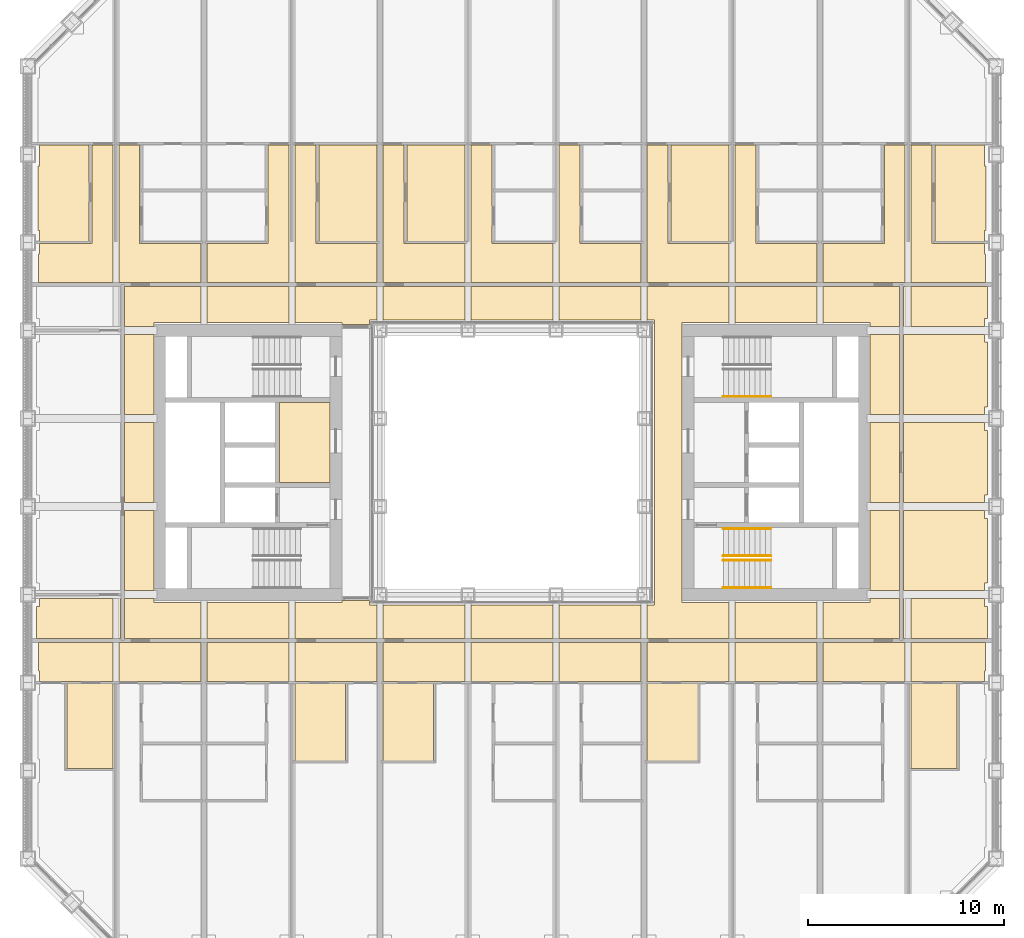
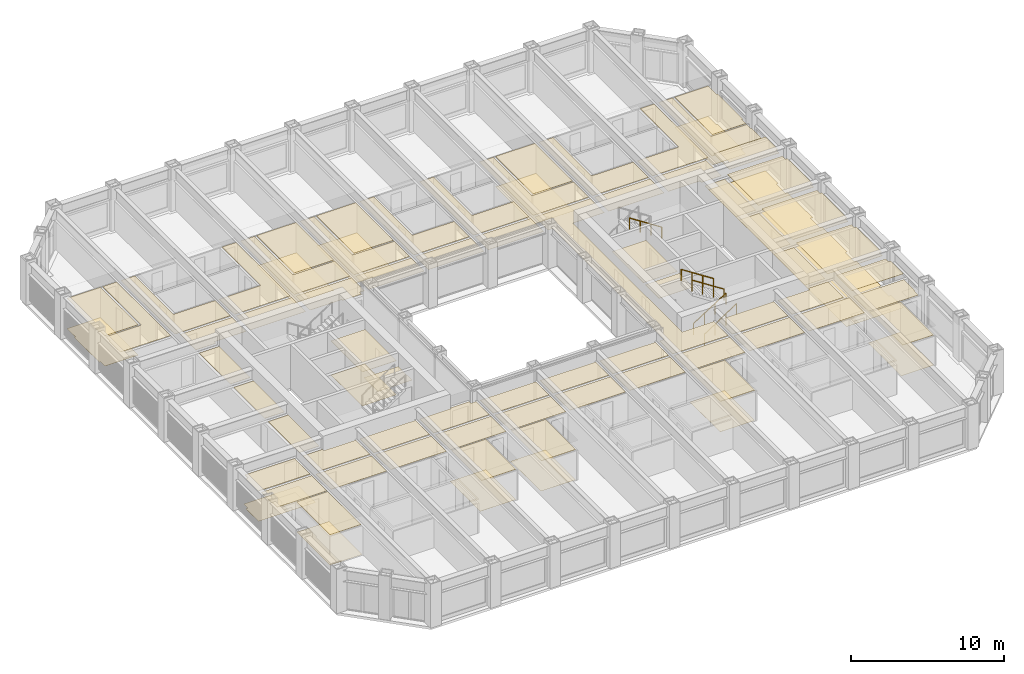
# One storey, part 20 of 21: 5 railings, 4 coverings.
"""IFC4 building model written with IfcOpenShell, lengths in metres."""

from ifc_helpers import new_model, si_unit, direction, frame, origin, origin_2d, place, context, subcontext, project, spatial, line, indexed_curve, circle, outline, extrude, material, layer, layer_set, type_object, element, save


model = new_model("IFC4")

# Units and contexts
model_context = context("Model", 3, precision=1e-05, world=origin(), true_north=direction((0.0, 1.0)))
body_context = subcontext(model_context, "Body", "Model", "MODEL_VIEW")
ifc_project = project(units=[si_unit("LENGTHUNIT", "METRE"), si_unit("AREAUNIT", "SQUARE_METRE"), si_unit("VOLUMEUNIT", "CUBIC_METRE"), si_unit("PLANEANGLEUNIT", "RADIAN"), si_unit("MASSUNIT", "GRAM", prefix="KILO")], contexts=[model_context])

# Site, building, storey
site_placement = place(None, origin())
site = spatial("IfcSite", under=ifc_project, at=site_placement, CompositionType="ELEMENT")
building_placement = place(site_placement, origin())
building = spatial("IfcBuilding", under=site, at=building_placement, Name="Msasa Ring Tower", CompositionType="ELEMENT")
storey_placement = place(building_placement, frame((0.0, 0.0, 51.0)))
storey = spatial("IfcBuildingStorey", under=building, at=storey_placement, Name="L12", CompositionType="ELEMENT", Elevation=51.0)

# Coverings
ifc_material_1 = material(Name="Gypsum plasterboard on a steel suspension grid", Category="steel")
ifc_layer_1 = layer(ifc_material_1, 0.014892578125)
ifc_layer_set_1 = layer_set([ifc_layer_1], Name="C1 SUSPENDED PLASTERBOARD CEILING 15")
covering_type_1 = type_object("IfcCoveringType", Name="C1 SUSPENDED PLASTERBOARD CEILING 15", PredefinedType="CEILING", material=ifc_layer_set_1)
covering_1_placement = place(storey_placement, frame((0.0, 0.0, 2.39990234375)))
element("IfcCovering", 1, at=covering_1_placement, inside=storey, type_object=covering_type_1, Name="Suspended Plasterboard Ceiling 15 circulation L12", PredefinedType="CEILING", context=body_context, shape_type="SweptSolid", body=[
    extrude(outline(indexed_curve([(-24.1494140625, -11.199462890625), (-24.1494140625, -10.6494140625), (-24.199462890625, -10.6494140625), (-24.199462890625, -9.200439453125), (-20.404296875, -9.200439453125), (-20.404296875, -11.199462890625)], segments=[line(1, 2, 3, 4, 5, 6, 1)], self_intersect=False)), origin(), (0.0, 0.0, 1.0), 0.01513671875),
    extrude(outline(indexed_curve([(-24.199462890625, 9.200439453125), (-24.199462890625, 10.6494140625), (-24.1494140625, 10.6494140625), (-24.1494140625, 11.199462890625), (-21.469482421875, 11.199462890625), (-21.469482421875, 16.244384765625), (-20.404296875, 16.244384765625), (-20.404296875, 9.200439453125)], segments=[line(1, 2, 3, 4, 5, 6, 7, 8, 1)], self_intersect=False)), origin(), (0.0, 0.0, 1.0), 0.01513671875),
    extrude(outline(indexed_curve([(-20.095703125, -11.199462890625), (-20.095703125, -9.200439453125), (-15.904296875, -9.200439453125), (-15.904296875, -11.199462890625)], segments=[line(1, 2, 3, 4, 1)], self_intersect=False)), origin(), (0.0, 0.0, 1.0), 0.01513671875),
    extrude(outline(indexed_curve([(-19.030517578125, 16.244384765625), (-19.030517578125, 11.199462890625), (-15.904296875, 11.199462890625), (-15.904296875, 9.200439453125), (-20.095703125, 9.200439453125), (-20.095703125, 16.244384765625)], segments=[line(1, 2, 3, 4, 5, 6, 1)], self_intersect=False)), origin(), (0.0, 0.0, 1.0), 0.01513671875),
    extrude(outline(indexed_curve([(-19.799560546875, -8.99951171875), (-19.799560546875, -6.960693359375), (-18.300537109375, -6.960693359375), (-18.300537109375, -7.150390625), (-15.904296875, -7.150390625), (-15.904296875, -8.99951171875)], segments=[line(1, 2, 3, 4, 5, 6, 1)], self_intersect=False)), origin(), (0.0, 0.0, 1.0), 0.01513671875),
    extrude(outline(indexed_curve([(-19.799560546875, -2.460693359375), (-18.300537109375, -2.460693359375), (-18.300537109375, -6.539306640625), (-19.799560546875, -6.539306640625)], segments=[line(1, 2, 3, 4, 1)], self_intersect=False)), origin(), (0.0, 0.0, 1.0), 0.01513671875),
    extrude(outline(indexed_curve([(-19.799560546875, 2.039306640625), (-18.300537109375, 2.039306640625), (-18.300537109375, -2.039306640625), (-19.799560546875, -2.039306640625)], segments=[line(1, 2, 3, 4, 1)], self_intersect=False)), origin(), (0.0, 0.0, 1.0), 0.01513671875),
    extrude(outline(indexed_curve([(-19.799560546875, 6.539306640625), (-18.300537109375, 6.539306640625), (-18.300537109375, 2.460693359375), (-19.799560546875, 2.460693359375)], segments=[line(1, 2, 3, 4, 1)], self_intersect=False)), origin(), (0.0, 0.0, 1.0), 0.01513671875),
    extrude(outline(indexed_curve([(-19.799560546875, 8.99951171875), (-15.904296875, 8.99951171875), (-15.904296875, 7.150390625), (-18.300537109375, 7.150390625), (-18.300537109375, 6.960693359375), (-19.799560546875, 6.960693359375)], segments=[line(1, 2, 3, 4, 5, 6, 1)], self_intersect=False)), origin(), (0.0, 0.0, 1.0), 0.01513671875),
    extrude(outline(indexed_curve([(-11.404296875, -9.200439453125), (-11.404296875, -11.199462890625), (-15.595703125, -11.199462890625), (-15.595703125, -9.200439453125)], segments=[line(1, 2, 3, 4, 1)], self_intersect=False)), origin(), (0.0, 0.0, 1.0), 0.01513671875),
    extrude(outline(indexed_curve([(-15.595703125, -8.99951171875), (-15.595703125, -7.150390625), (-11.404296875, -7.150390625), (-11.404296875, -8.99951171875)], segments=[line(1, 2, 3, 4, 1)], self_intersect=False)), origin(), (0.0, 0.0, 1.0), 0.01513671875),
    extrude(outline(indexed_curve([(-11.404296875, 8.99951171875), (-11.404296875, 7.150390625), (-15.595703125, 7.150390625), (-15.595703125, 8.99951171875)], segments=[line(1, 2, 3, 4, 1)], self_intersect=False)), origin(), (0.0, 0.0, 1.0), 0.01513671875),
    extrude(outline(indexed_curve([(-15.595703125, 9.200439453125), (-15.595703125, 11.199462890625), (-12.469482421875, 11.199462890625), (-12.469482421875, 16.244384765625), (-11.404296875, 16.244384765625), (-11.404296875, 9.200439453125)], segments=[line(1, 2, 3, 4, 5, 6, 1)], self_intersect=False)), origin(), (0.0, 0.0, 1.0), 0.01513671875),
    extrude(outline(indexed_curve([(-11.87451171875, -1.275390625), (-9.300537109375, -1.275390625), (-9.300537109375, -3.074462890625), (-11.87451171875, -3.074462890625)], segments=[line(1, 2, 3, 4, 1)], self_intersect=False)), origin(), (0.0, 0.0, 1.0), 0.01513671875),
    extrude(outline(indexed_curve([(-6.904296875, -9.200439453125), (-6.904296875, -11.199462890625), (-11.095703125, -11.199462890625), (-11.095703125, -9.200439453125)], segments=[line(1, 2, 3, 4, 1)], self_intersect=False)), origin(), (0.0, 0.0, 1.0), 0.01513671875),
    extrude(outline(indexed_curve([(-11.095703125, -8.99951171875), (-11.095703125, -7.150390625), (-8.699462890625, -7.150390625), (-8.699462890625, -7.050537109375), (-7.280029296875, -7.050537109375), (-7.275390625, -7.275390625), (-6.904296875, -7.280029296875), (-6.904296875, -8.99951171875)], segments=[line(1, 2, 3, 4, 5, 6, 7, 8, 1)], self_intersect=False)), origin(), (0.0, 0.0, 1.0), 0.01513671875),
    extrude(outline(indexed_curve([(-6.904296875, 8.99951171875), (-6.904296875, 7.280029296875), (-7.275390625, 7.275390625), (-7.280029296875, 7.050537109375), (-8.699462890625, 7.050537109375), (-8.699462890625, 7.150390625), (-11.095703125, 7.150390625), (-11.095703125, 8.99951171875)], segments=[line(1, 2, 3, 4, 5, 6, 7, 8, 1)], self_intersect=False)), origin(), (0.0, 0.0, 1.0), 0.01513671875),
    extrude(outline(indexed_curve([(-10.030517578125, 16.244384765625), (-10.030517578125, 11.199462890625), (-6.904296875, 11.199462890625), (-6.904296875, 9.200439453125), (-11.095703125, 9.200439453125), (-11.095703125, 16.244384765625)], segments=[line(1, 2, 3, 4, 5, 6, 1)], self_intersect=False)), origin(), (0.0, 0.0, 1.0), 0.01513671875),
    extrude(outline(indexed_curve([(-6.595703125, -11.199462890625), (-6.595703125, -9.200439453125), (-2.404296875, -9.200439453125), (-2.404296875, -11.199462890625)], segments=[line(1, 2, 3, 4, 1)], self_intersect=False)), origin(), (0.0, 0.0, 1.0), 0.01513671875),
    extrude(outline(indexed_curve([(-6.595703125, -8.99951171875), (-6.595703125, -7.280029296875), (-2.404296875, -7.280029296875), (-2.404296875, -8.99951171875)], segments=[line(1, 2, 3, 4, 1)], self_intersect=False)), origin(), (0.0, 0.0, 1.0), 0.01513671875),
    extrude(outline(indexed_curve([(-2.404296875, 8.99951171875), (-2.404296875, 7.280029296875), (-6.595703125, 7.280029296875), (-6.595703125, 8.99951171875)], segments=[line(1, 2, 3, 4, 1)], self_intersect=False)), origin(), (0.0, 0.0, 1.0), 0.01513671875),
    extrude(outline(indexed_curve([(-2.404296875, 11.199462890625), (-2.404296875, 9.200439453125), (-6.595703125, 9.200439453125), (-6.595703125, 16.244384765625), (-5.530517578125, 16.244384765625), (-5.530517578125, 11.199462890625)], segments=[line(1, 2, 3, 4, 5, 6, 1)], self_intersect=False)), origin(), (0.0, 0.0, 1.0), 0.01513671875),
    extrude(outline(indexed_curve([(-2.095703125, -11.199462890625), (-2.095703125, -9.200439453125), (2.095703125, -9.200439453125), (2.095703125, -11.199462890625)], segments=[line(1, 2, 3, 4, 1)], self_intersect=False)), origin(), (0.0, 0.0, 1.0), 0.01513671875),
    extrude(outline(indexed_curve([(-2.095703125, -8.99951171875), (-2.095703125, -7.280029296875), (2.095703125, -7.280029296875), (2.095703125, -8.99951171875)], segments=[line(1, 2, 3, 4, 1)], self_intersect=False)), origin(), (0.0, 0.0, 1.0), 0.01513671875),
    extrude(outline(indexed_curve([(2.095703125, 8.99951171875), (2.095703125, 7.280029296875), (-2.095703125, 7.280029296875), (-2.095703125, 8.99951171875)], segments=[line(1, 2, 3, 4, 1)], self_intersect=False)), origin(), (0.0, 0.0, 1.0), 0.01513671875),
    extrude(outline(indexed_curve([(-1.030517578125, 16.244384765625), (-1.030517578125, 11.199462890625), (2.095703125, 11.199462890625), (2.095703125, 9.200439453125), (-2.095703125, 9.200439453125), (-2.095703125, 16.244384765625)], segments=[line(1, 2, 3, 4, 5, 6, 1)], self_intersect=False)), origin(), (0.0, 0.0, 1.0), 0.01513671875),
    extrude(outline(indexed_curve([(2.404296875, -11.199462890625), (2.404296875, -9.200439453125), (6.595703125, -9.200439453125), (6.595703125, -11.199462890625)], segments=[line(1, 2, 3, 4, 1)], self_intersect=False)), origin(), (0.0, 0.0, 1.0), 0.01513671875),
    extrude(outline(indexed_curve([(2.404296875, -8.99951171875), (2.404296875, -7.280029296875), (6.595703125, -7.280029296875), (6.595703125, -8.99951171875)], segments=[line(1, 2, 3, 4, 1)], self_intersect=False)), origin(), (0.0, 0.0, 1.0), 0.01513671875),
    extrude(outline(indexed_curve([(6.595703125, 8.99951171875), (6.595703125, 7.280029296875), (2.404296875, 7.280029296875), (2.404296875, 8.99951171875)], segments=[line(1, 2, 3, 4, 1)], self_intersect=False)), origin(), (0.0, 0.0, 1.0), 0.01513671875),
    extrude(outline(indexed_curve([(3.469482421875, 16.244384765625), (3.469482421875, 11.199462890625), (6.595703125, 11.199462890625), (6.595703125, 9.200439453125), (2.404296875, 9.200439453125), (2.404296875, 16.244384765625)], segments=[line(1, 2, 3, 4, 5, 6, 1)], self_intersect=False)), origin(), (0.0, 0.0, 1.0), 0.01513671875),
    extrude(outline(indexed_curve([(11.095703125, -9.200439453125), (11.095703125, -11.199462890625), (6.904296875, -11.199462890625), (6.904296875, -9.200439453125)], segments=[line(1, 2, 3, 4, 1)], self_intersect=False)), origin(), (0.0, 0.0, 1.0), 0.01513671875),
    extrude(outline(indexed_curve([(6.904296875, -8.99951171875), (6.904296875, -7.280029296875), (7.275390625, -7.275390625), (7.280517578125, -7.23046875), (7.280517578125, 7.23046875), (7.275390625, 7.275390625), (6.904296875, 7.280029296875), (6.904296875, 8.99951171875), (11.095703125, 8.99951171875), (11.095703125, 7.150390625), (8.699462890625, 7.150390625), (8.699462890625, -7.150390625), (11.095703125, -7.150390625), (11.095703125, -8.99951171875)], segments=[line(1, 2, 3, 4, 5, 6, 7, 8, 9, 10, 11, 12, 13, 14, 1)], self_intersect=False)), origin(), (0.0, 0.0, 1.0), 0.01513671875),
    extrude(outline(indexed_curve([(7.969482421875, 11.199462890625), (11.095703125, 11.199462890625), (11.095703125, 9.200439453125), (6.904296875, 9.200439453125), (6.904296875, 16.244384765625), (7.969482421875, 16.244384765625)], segments=[line(1, 2, 3, 4, 5, 6, 1)], self_intersect=False)), origin(), (0.0, 0.0, 1.0), 0.01513671875),
    extrude(outline(indexed_curve([(9.300537109375, -1.275390625), (11.87451171875, -1.275390625), (11.87451171875, -3.074462890625), (9.300537109375, -3.074462890625)], segments=[line(1, 2, 3, 4, 1)], self_intersect=False)), origin(), (0.0, 0.0, 1.0), 0.01513671875),
    extrude(outline(indexed_curve([(9.300537109375, 3.074462890625), (11.87451171875, 3.074462890625), (11.87451171875, -1.0244140625), (9.300537109375, -1.0244140625)], segments=[line(1, 2, 3, 4, 1)], self_intersect=False)), origin(), (0.0, 0.0, 1.0), 0.01513671875),
    extrude(outline(indexed_curve([(15.595703125, -9.200439453125), (15.595703125, -11.199462890625), (11.404296875, -11.199462890625), (11.404296875, -9.200439453125)], segments=[line(1, 2, 3, 4, 1)], self_intersect=False)), origin(), (0.0, 0.0, 1.0), 0.01513671875),
    extrude(outline(indexed_curve([(11.404296875, -8.99951171875), (11.404296875, -7.150390625), (15.595703125, -7.150390625), (15.595703125, -8.99951171875)], segments=[line(1, 2, 3, 4, 1)], self_intersect=False)), origin(), (0.0, 0.0, 1.0), 0.01513671875),
    extrude(outline(indexed_curve([(15.595703125, 8.99951171875), (15.595703125, 7.150390625), (11.404296875, 7.150390625), (11.404296875, 8.99951171875)], segments=[line(1, 2, 3, 4, 1)], self_intersect=False)), origin(), (0.0, 0.0, 1.0), 0.01513671875),
    extrude(outline(indexed_curve([(12.469482421875, 16.244384765625), (12.469482421875, 11.199462890625), (15.595703125, 11.199462890625), (15.595703125, 9.200439453125), (11.404296875, 9.200439453125), (11.404296875, 16.244384765625)], segments=[line(1, 2, 3, 4, 5, 6, 1)], self_intersect=False)), origin(), (0.0, 0.0, 1.0), 0.01513671875),
    extrude(outline(indexed_curve([(20.095703125, -9.200439453125), (20.095703125, -11.199462890625), (15.904296875, -11.199462890625), (15.904296875, -9.200439453125)], segments=[line(1, 2, 3, 4, 1)], self_intersect=False)), origin(), (0.0, 0.0, 1.0), 0.01513671875),
    extrude(outline(indexed_curve([(19.799560546875, -8.99951171875), (15.904296875, -8.99951171875), (15.904296875, -7.150390625), (18.300537109375, -7.150390625), (18.300537109375, -6.960693359375), (19.799560546875, -6.960693359375)], segments=[line(1, 2, 3, 4, 5, 6, 1)], self_intersect=False)), origin(), (0.0, 0.0, 1.0), 0.01513671875),
    extrude(outline(indexed_curve([(19.799560546875, 6.960693359375), (18.300537109375, 6.960693359375), (18.300537109375, 7.150390625), (15.904296875, 7.150390625), (15.904296875, 8.99951171875), (19.799560546875, 8.99951171875)], segments=[line(1, 2, 3, 4, 5, 6, 1)], self_intersect=False)), origin(), (0.0, 0.0, 1.0), 0.01513671875),
    extrude(outline(indexed_curve([(15.904296875, 9.200439453125), (15.904296875, 11.199462890625), (19.030517578125, 11.199462890625), (19.030517578125, 16.244384765625), (20.095703125, 16.244384765625), (20.095703125, 9.200439453125)], segments=[line(1, 2, 3, 4, 5, 6, 1)], self_intersect=False)), origin(), (0.0, 0.0, 1.0), 0.01513671875),
    extrude(outline(indexed_curve([(19.799560546875, -6.539306640625), (18.300537109375, -6.539306640625), (18.300537109375, -2.460693359375), (19.799560546875, -2.460693359375)], segments=[line(1, 2, 3, 4, 1)], self_intersect=False)), origin(), (0.0, 0.0, 1.0), 0.01513671875),
    extrude(outline(indexed_curve([(19.799560546875, -2.039306640625), (18.300537109375, -2.039306640625), (18.300537109375, 2.039306640625), (19.799560546875, 2.039306640625)], segments=[line(1, 2, 3, 4, 1)], self_intersect=False)), origin(), (0.0, 0.0, 1.0), 0.01513671875),
    extrude(outline(indexed_curve([(19.799560546875, 2.460693359375), (18.300537109375, 2.460693359375), (18.300537109375, 6.539306640625), (19.799560546875, 6.539306640625)], segments=[line(1, 2, 3, 4, 1)], self_intersect=False)), origin(), (0.0, 0.0, 1.0), 0.01513671875),
    extrude(outline(indexed_curve([(24.199462890625, -9.200439453125), (24.199462890625, -10.6494140625), (24.1494140625, -10.6494140625), (24.1494140625, -11.199462890625), (20.404296875, -11.199462890625), (20.404296875, -9.200439453125)], segments=[line(1, 2, 3, 4, 5, 6, 1)], self_intersect=False)), origin(), (0.0, 0.0, 1.0), 0.01513671875),
    extrude(outline(indexed_curve([(21.469482421875, 16.244384765625), (21.469482421875, 11.199462890625), (24.1494140625, 11.199462890625), (24.1494140625, 10.6494140625), (24.199462890625, 10.6494140625), (24.199462890625, 9.200439453125), (20.404296875, 9.200439453125), (20.404296875, 16.244384765625)], segments=[line(1, 2, 3, 4, 5, 6, 7, 8, 1)], self_intersect=False)), origin(), (0.0, 0.0, 1.0), 0.01513671875),
])
ifc_material_2 = material(Name="Mineral fibre ceiling tiles on an exposed steel grid", Category="steel")
ifc_layer_2 = layer(ifc_material_2, 0.02001953125)
ifc_layer_set_2 = layer_set([ifc_layer_2], Name="C3 ACOUSTIC MINERAL FIBRE TILE CEILING 20")
covering_type_2 = type_object("IfcCoveringType", Name="C3 ACOUSTIC MINERAL FIBRE TILE CEILING 20", PredefinedType="CEILING", material=ifc_layer_set_2)
covering_2_placement = place(storey_placement, frame((0.0, 0.0, 2.699951171875)))
element("IfcCovering", 2, at=covering_2_placement, inside=storey, type_object=covering_type_2, Name="Acoustic Mineral Fibre Tile Ceiling 20 L12", PredefinedType="CEILING", context=body_context, shape_type="SweptSolid", body=[
    extrude(outline(indexed_curve([(-9.300537109375, 3.074462890625), (-9.300537109375, -1.0244140625), (-11.87451171875, -1.0244140625), (-11.87451171875, 3.074462890625)], segments=[line(1, 2, 3, 4, 1)], self_intersect=False)), origin(), (0.0, 0.0, 1.0), 0.02001953125),
    extrude(outline(indexed_curve([(20.00048828125, -2.460693359375), (24.1494140625, -2.460693359375), (24.1494140625, -2.8505859375), (24.299560546875, -2.8505859375), (24.299560546875, -6.1494140625), (24.1494140625, -6.1494140625), (24.1494140625, -6.539306640625), (20.00048828125, -6.539306640625)], segments=[line(1, 2, 3, 4, 5, 6, 7, 8, 1)], self_intersect=False)), origin(), (0.0, 0.0, 1.0), 0.02001953125),
    extrude(outline(indexed_curve([(20.00048828125, 2.039306640625), (24.1494140625, 2.039306640625), (24.1494140625, 1.6494140625), (24.299560546875, 1.6494140625), (24.299560546875, -1.6494140625), (24.1494140625, -1.6494140625), (24.1494140625, -2.039306640625), (20.00048828125, -2.039306640625)], segments=[line(1, 2, 3, 4, 5, 6, 7, 8, 1)], self_intersect=False)), origin(), (0.0, 0.0, 1.0), 0.02001953125),
    extrude(outline(indexed_curve([(20.00048828125, 6.539306640625), (24.1494140625, 6.539306640625), (24.1494140625, 6.1494140625), (24.299560546875, 6.1494140625), (24.299560546875, 2.8505859375), (24.1494140625, 2.8505859375), (24.1494140625, 2.460693359375), (20.00048828125, 2.460693359375)], segments=[line(1, 2, 3, 4, 5, 6, 7, 8, 1)], self_intersect=False)), origin(), (0.0, 0.0, 1.0), 0.02001953125),
    extrude(outline(indexed_curve([(24.299560546875, -8.99951171875), (20.404296875, -8.99951171875), (20.404296875, -6.960693359375), (24.1494140625, -6.960693359375), (24.1494140625, -7.3505859375), (24.299560546875, -7.3505859375)], segments=[line(1, 2, 3, 4, 5, 6, 1)], self_intersect=False)), origin(), (0.0, 0.0, 1.0), 0.02001953125),
    extrude(outline(indexed_curve([(24.299560546875, 8.99951171875), (24.299560546875, 7.3505859375), (24.1494140625, 7.3505859375), (24.1494140625, 6.960693359375), (20.404296875, 6.960693359375), (20.404296875, 8.99951171875)], segments=[line(1, 2, 3, 4, 5, 6, 1)], self_intersect=False)), origin(), (0.0, 0.0, 1.0), 0.02001953125),
])
ifc_material_3 = material(Name="Perforated aluminium ceiling pans on a steel grid", Category="steel")
ifc_layer_3 = layer(ifc_material_3, 0.02490234375)
ifc_layer_set_3 = layer_set([ifc_layer_3], Name="C4 PERFORATED METAL PAN CEILING 25")
covering_type_3 = type_object("IfcCoveringType", Name="C4 PERFORATED METAL PAN CEILING 25", PredefinedType="CEILING", material=ifc_layer_set_3)
covering_3_placement = place(storey_placement, frame((0.0, 0.0, 2.39990234375)))
element("IfcCovering", 3, at=covering_3_placement, inside=storey, type_object=covering_type_3, Name="Perforated Metal Pan Ceiling 25 L12", PredefinedType="CEILING", context=body_context, shape_type="SweptSolid", body=[
    extrude(outline(indexed_curve([(-24.299560546875, -8.99951171875), (-24.299560546875, -7.3505859375), (-24.1494140625, -7.3505859375), (-24.1494140625, -6.960693359375), (-20.404296875, -6.960693359375), (-20.404296875, -8.99951171875)], segments=[line(1, 2, 3, 4, 5, 6, 1)], self_intersect=False)), origin(), (0.0, 0.0, 1.0), 0.025146484375),
    extrude(outline(indexed_curve([(-24.239501953125, 15.1494140625), (-24.1494140625, 15.1494140625), (-24.1494140625, 16.244384765625), (-21.630615234375, 16.244384765625), (-21.630615234375, 11.305419921875), (-24.1494140625, 11.305419921875), (-24.1494140625, 11.8505859375), (-24.239501953125, 11.8505859375)], segments=[line(1, 2, 3, 4, 5, 6, 7, 8, 1)], self_intersect=False)), origin(), (0.0, 0.0, 1.0), 0.025146484375),
    extrude(outline(indexed_curve([(-22.74951171875, -15.6416015625), (-22.74951171875, -11.300537109375), (-20.404296875, -11.300537109375), (-20.404296875, -15.6416015625)], segments=[line(1, 2, 3, 4, 1)], self_intersect=False)), origin(), (0.0, 0.0, 1.0), 0.025146484375),
    extrude(outline(indexed_curve([(-11.095703125, -15.24951171875), (-11.095703125, -11.300537109375), (-8.50048828125, -11.300537109375), (-8.50048828125, -15.24951171875)], segments=[line(1, 2, 3, 4, 1)], self_intersect=False)), origin(), (0.0, 0.0, 1.0), 0.025146484375),
    extrude(outline(indexed_curve([(-9.869384765625, 11.305419921875), (-9.869384765625, 16.244384765625), (-6.904296875, 16.244384765625), (-6.904296875, 11.305419921875)], segments=[line(1, 2, 3, 4, 1)], self_intersect=False)), origin(), (0.0, 0.0, 1.0), 0.025146484375),
    extrude(outline(indexed_curve([(-6.595703125, -15.24951171875), (-6.595703125, -11.300537109375), (-4.00048828125, -11.300537109375), (-4.00048828125, -15.24951171875)], segments=[line(1, 2, 3, 4, 1)], self_intersect=False)), origin(), (0.0, 0.0, 1.0), 0.025146484375),
    extrude(outline(indexed_curve([(-5.369384765625, 11.305419921875), (-5.369384765625, 16.244384765625), (-2.404296875, 16.244384765625), (-2.404296875, 11.305419921875)], segments=[line(1, 2, 3, 4, 1)], self_intersect=False)), origin(), (0.0, 0.0, 1.0), 0.025146484375),
    extrude(outline(indexed_curve([(9.49951171875, -11.300537109375), (9.49951171875, -15.24951171875), (6.904296875, -15.24951171875), (6.904296875, -11.300537109375)], segments=[line(1, 2, 3, 4, 1)], self_intersect=False)), origin(), (0.0, 0.0, 1.0), 0.025146484375),
    extrude(outline(indexed_curve([(8.130615234375, 16.244384765625), (11.095703125, 16.244384765625), (11.095703125, 11.305419921875), (8.130615234375, 11.305419921875)], segments=[line(1, 2, 3, 4, 1)], self_intersect=False)), origin(), (0.0, 0.0, 1.0), 0.025146484375),
    extrude(outline(indexed_curve([(22.74951171875, -11.300537109375), (22.74951171875, -15.6416015625), (20.404296875, -15.6416015625), (20.404296875, -11.300537109375)], segments=[line(1, 2, 3, 4, 1)], self_intersect=False)), origin(), (0.0, 0.0, 1.0), 0.025146484375),
    extrude(outline(indexed_curve([(21.630615234375, 16.244384765625), (24.1494140625, 16.244384765625), (24.1494140625, 15.1494140625), (24.239501953125, 15.1494140625), (24.239501953125, 11.8505859375), (24.1494140625, 11.8505859375), (24.1494140625, 11.305419921875), (21.630615234375, 11.305419921875)], segments=[line(1, 2, 3, 4, 5, 6, 7, 8, 1)], self_intersect=False)), origin(), (0.0, 0.0, 1.0), 0.025146484375),
])
ifc_material_4 = material(Name="Welded vinyl safety sheet flooring", Category="vinyl")
ifc_layer_4 = layer(ifc_material_4, 0.0029296875)
ifc_layer_set_4 = layer_set([ifc_layer_4], Name="F5 RESILIENT SHEET FLOORING 3")
covering_type_4 = type_object("IfcCoveringType", Name="F5 RESILIENT SHEET FLOORING 3", PredefinedType="FLOORING", material=ifc_layer_set_4)
covering_4_placement = place(storey_placement, origin())
element("IfcCovering", 4, at=covering_4_placement, inside=storey, type_object=covering_type_4, Name="Resilient Sheet Flooring 3 L12", PredefinedType="FLOORING", context=body_context, shape_type="SweptSolid", body=[
    extrude(outline(indexed_curve([(-20.00048828125, -8.99951171875), (-24.299560546875, -8.99951171875), (-24.299560546875, -7.3505859375), (-24.1494140625, -7.3505859375), (-24.1494140625, -6.805419921875), (-20.00048828125, -6.805419921875)], segments=[line(1, 2, 3, 4, 5, 6, 1)], self_intersect=False)), origin(), (0.0, 0.0, 1.0), 0.0029296875),
    extrude(outline(indexed_curve([(-21.630615234375, 16.244384765625), (-21.630615234375, 11.305419921875), (-24.1494140625, 11.305419921875), (-24.1494140625, 11.8505859375), (-24.239501953125, 11.8505859375), (-24.239501953125, 15.1494140625), (-24.1494140625, 15.1494140625), (-24.1494140625, 16.244384765625)], segments=[line(1, 2, 3, 4, 5, 6, 7, 8, 1)], self_intersect=False)), origin(), (0.0, 0.0, 1.0), 0.0029296875),
    extrude(outline(indexed_curve([(-22.74951171875, -11.300537109375), (-20.310546875, -11.300537109375), (-20.310546875, -15.6416015625), (-22.74951171875, -15.6416015625)], segments=[line(1, 2, 3, 4, 1)], self_intersect=False)), origin(), (0.0, 0.0, 1.0), 0.0029296875),
    extrude(outline(indexed_curve([(-9.300537109375, 3.074462890625), (-9.300537109375, -1.0244140625), (-11.87451171875, -1.0244140625), (-11.87451171875, 3.074462890625)], segments=[line(1, 2, 3, 4, 1)], self_intersect=False)), origin(), (0.0, 0.0, 1.0), 0.0029296875),
    extrude(outline(indexed_curve([(-8.50048828125, -11.300537109375), (-8.50048828125, -15.24951171875), (-11.189453125, -15.24951171875), (-11.189453125, -11.300537109375)], segments=[line(1, 2, 3, 4, 1)], self_intersect=False)), origin(), (0.0, 0.0, 1.0), 0.0029296875),
    extrude(outline(indexed_curve([(-9.869384765625, 16.244384765625), (-6.87548828125, 16.244384765625), (-6.87548828125, 11.305419921875), (-9.869384765625, 11.305419921875)], segments=[line(1, 2, 3, 4, 1)], self_intersect=False)), origin(), (0.0, 0.0, 1.0), 0.0029296875),
    extrude(outline(indexed_curve([(-4.00048828125, -11.300537109375), (-4.00048828125, -15.24951171875), (-6.62451171875, -15.24951171875), (-6.62451171875, -11.300537109375)], segments=[line(1, 2, 3, 4, 1)], self_intersect=False)), origin(), (0.0, 0.0, 1.0), 0.0029296875),
    extrude(outline(indexed_curve([(-2.310546875, 16.244384765625), (-2.310546875, 11.305419921875), (-5.369384765625, 11.305419921875), (-5.369384765625, 16.244384765625)], segments=[line(1, 2, 3, 4, 1)], self_intersect=False)), origin(), (0.0, 0.0, 1.0), 0.0029296875),
    extrude(outline(indexed_curve([(9.49951171875, -11.300537109375), (9.49951171875, -15.24951171875), (6.87548828125, -15.24951171875), (6.87548828125, -11.300537109375)], segments=[line(1, 2, 3, 4, 1)], self_intersect=False)), origin(), (0.0, 0.0, 1.0), 0.0029296875),
    extrude(outline(indexed_curve([(11.189453125, 16.244384765625), (11.189453125, 11.305419921875), (8.130615234375, 11.305419921875), (8.130615234375, 16.244384765625)], segments=[line(1, 2, 3, 4, 1)], self_intersect=False)), origin(), (0.0, 0.0, 1.0), 0.0029296875),
    extrude(outline(indexed_curve([(20.00048828125, 8.99951171875), (24.299560546875, 8.99951171875), (24.299560546875, 7.3505859375), (24.1494140625, 7.3505859375), (24.1494140625, 6.1494140625), (24.299560546875, 6.1494140625), (24.299560546875, 2.8505859375), (24.1494140625, 2.8505859375), (24.1494140625, 1.6494140625), (24.299560546875, 1.6494140625), (24.299560546875, -1.6494140625), (24.1494140625, -1.6494140625), (24.1494140625, -2.8505859375), (24.299560546875, -2.8505859375), (24.299560546875, -6.1494140625), (24.1494140625, -6.1494140625), (24.1494140625, -7.3505859375), (24.299560546875, -7.3505859375), (24.299560546875, -8.99951171875), (20.00048828125, -8.99951171875)], segments=[line(1, 2, 3, 4, 5, 6, 7, 8, 9, 10, 11, 12, 13, 14, 15, 16, 17, 18, 19, 20, 1)], self_intersect=False)), origin(), (0.0, 0.0, 1.0), 0.0029296875),
    extrude(outline(indexed_curve([(22.74951171875, -11.300537109375), (22.74951171875, -15.6416015625), (20.310546875, -15.6416015625), (20.310546875, -11.300537109375)], segments=[line(1, 2, 3, 4, 1)], self_intersect=False)), origin(), (0.0, 0.0, 1.0), 0.0029296875),
    extrude(outline(indexed_curve([(24.1494140625, 16.244384765625), (24.1494140625, 15.1494140625), (24.239501953125, 15.1494140625), (24.239501953125, 11.8505859375), (24.1494140625, 11.8505859375), (24.1494140625, 11.305419921875), (21.630615234375, 11.305419921875), (21.630615234375, 16.244384765625)], segments=[line(1, 2, 3, 4, 5, 6, 7, 8, 1)], self_intersect=False)), origin(), (0.0, 0.0, 1.0), 0.0029296875),
])

# Railings
ifc_material_5 = material(Name="Stainless steel", Category="steel")
railing_type = type_object("IfcRailingType", Name="HR1 HANDRAIL 900", PredefinedType="HANDRAIL", material=ifc_material_5)
for number, where, name in (
    (5, (10.800048828125, -6.39990234375, 0.175048828125), "Handrail stair SEA L12 1"),
    (6, (10.800048828125, -5.0, 0.175048828125), "Handrail stair SEA L12 2"),
):
    element("IfcRailing", number, at=place(storey_placement, frame(where)), inside=storey, type_object=railing_type, Name=name, PredefinedType="HANDRAIL", context=body_context, shape_type="SweptSolid", body=[
        extrude(circle(Radius=0.02392578125, at=origin_2d()), frame((0.0, 0.0, 0.8759765625), z_axis=(0.839153699163, 0.0, 0.543894354798), x_axis=(0.0, 1.0, 0.0)), (0.0, 0.0, 1.0), 2.895751953125),
        extrude(circle(Radius=0.02099609375, at=origin_2d()), origin(), (0.0, 0.0, 1.0), 0.851806640625),
        extrude(circle(Radius=0.02099609375, at=origin_2d()), frame((0.81005859375, 0.0, 0.52490234375)), (0.0, 0.0, 1.0), 0.851806640625),
        extrude(circle(Radius=0.02099609375, at=origin_2d()), frame((1.619873046875, 0.0, 1.050048828125)), (0.0, 0.0, 1.0), 0.851806640625),
        extrude(circle(Radius=0.02099609375, at=origin_2d()), frame((2.429931640625, 0.0, 1.574951171875)), (0.0, 0.0, 1.0), 0.851806640625),
    ])
for number, where, name in (
    (7, (13.22998046875, -4.77490234375, 1.925048828125), "Handrail stair SEA L12 3"),
    (8, (13.22998046875, -3.375, 1.925048828125), "Handrail stair SEA L12 4"),
    (9, (13.22998046875, 3.375, 1.925048828125), "Handrail stair SEB L12 3"),
):
    element("IfcRailing", number, at=place(storey_placement, frame(where)), inside=storey, type_object=railing_type, Name=name, PredefinedType="HANDRAIL", context=body_context, shape_type="SweptSolid", body=[
        extrude(circle(Radius=0.02392578125, at=origin_2d()), frame((0.0, 0.0, 0.8759765625), z_axis=(-0.839153699163, 0.0, 0.543894354798), x_axis=(0.0, -1.0, 0.0)), (0.0, 0.0, 1.0), 2.895751953125),
        extrude(circle(Radius=0.02099609375, at=origin_2d()), origin(), (0.0, 0.0, 1.0), 0.851806640625),
        extrude(circle(Radius=0.02099609375, at=origin_2d()), frame((-0.81005859375, 0.0, 0.52490234375)), (0.0, 0.0, 1.0), 0.851806640625),
        extrude(circle(Radius=0.02099609375, at=origin_2d()), frame((-1.619873046875, 0.0, 1.050048828125)), (0.0, 0.0, 1.0), 0.851806640625),
        extrude(circle(Radius=0.02099609375, at=origin_2d()), frame((-2.429931640625, 0.0, 1.574951171875)), (0.0, 0.0, 1.0), 0.851806640625),
    ])

save(model, "model.ifc")
